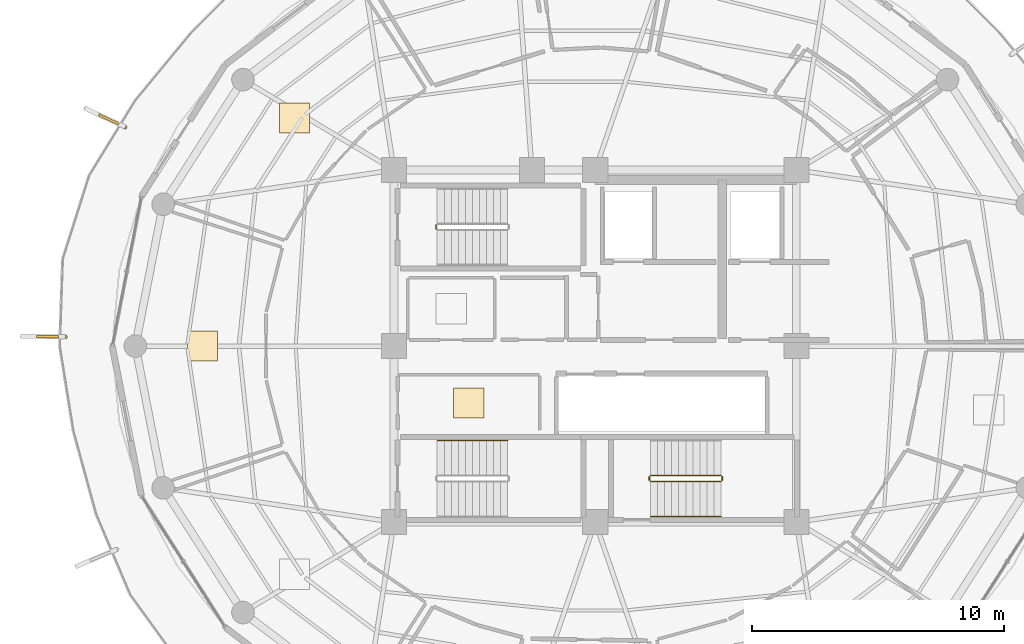
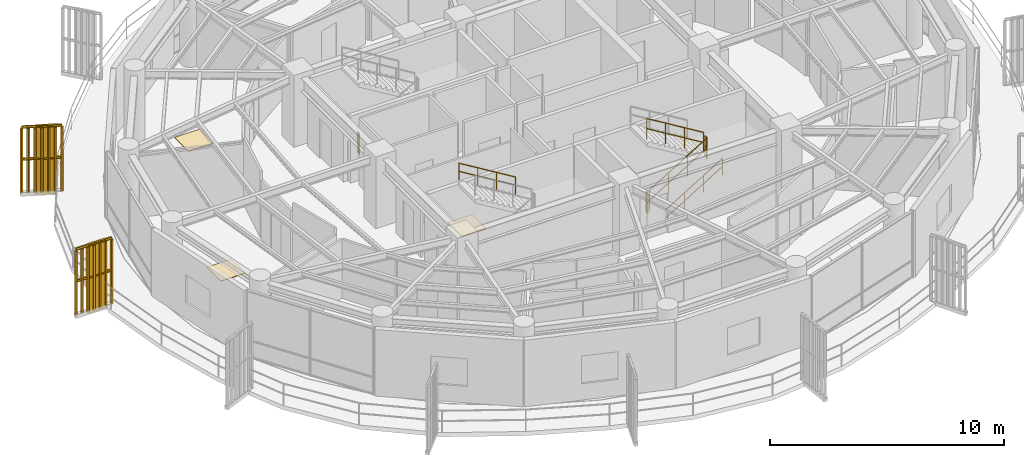
# One storey, part 22 of 24: 9 railings, 3 coverings, 2 shading devices.
"""IFC4 building model written with IfcOpenShell, lengths in metres."""

from ifc_helpers import new_model, si_unit, direction, frame, origin, origin_2d, place, context, subcontext, project, spatial, polyline, rectangle, outline, extrude, source, transform, mapped, material, layer, layer_set, type_object, element, save


model = new_model("IFC4")

# Units and contexts
model_context = context("Model", 3, precision=1e-05, world=origin(), true_north=direction((0.0, 1.0)))
body_context = subcontext(model_context, "Body", "Model", "MODEL_VIEW")
ifc_project = project(units=[si_unit("LENGTHUNIT", "METRE"), si_unit("AREAUNIT", "SQUARE_METRE"), si_unit("VOLUMEUNIT", "CUBIC_METRE"), si_unit("PLANEANGLEUNIT", "RADIAN"), si_unit("MASSUNIT", "GRAM", prefix="KILO")], contexts=[model_context])

# Site, building, storey
site_placement = place(None, origin())
site = spatial("IfcSite", under=ifc_project, at=site_placement, CompositionType="ELEMENT")
building_placement = place(site_placement, origin())
building = spatial("IfcBuilding", under=site, at=building_placement, Name="Kelanora Arch Commons", CompositionType="ELEMENT")
storey_placement = place(building_placement, frame((0.0, 0.0, 248.699951171875)))
storey = spatial("IfcBuildingStorey", under=building, at=storey_placement, Name="L63", CompositionType="ELEMENT", Elevation=248.699951171875)

# Railings
ifc_material_1 = material(Name="Anodised bronze vertical shading fin rib assembly")
railing_type_1 = type_object("IfcRailingType", Name="RAIL-FIN-BRZ", PredefinedType="BALUSTRADE", material=ifc_material_1)
railing_1_placement = place(storey_placement, frame((55.31591796875, 66.70654296875, -0.02001953125)))
element("IfcRailing", 1, at=railing_1_placement, inside=storey, type_object=railing_type_1, Name="Sweeping Bronze Vertical Fin Blade L63-08", PredefinedType="BALUSTRADE", context=body_context, shape_type="SweptSolid", body=[
    extrude(outline(polyline([(0.06982421875, 0.0), (0.034912109375, 0.060546875), (-0.034912109375, 0.060546875), (-0.06982421875, 0.0), (-0.034912109375, -0.060546875), (0.034912109375, -0.060546875), (0.06982421875, 0.0)])), frame((0.0, 0.0, 3.419921875), z_axis=(-0.906420945291, 0.422375508213, 0.0), x_axis=(-0.422375508213, -0.906420945291, 0.0)), (0.0, 0.0, 1.0), 1.72998046875),
    extrude(outline(polyline([(0.06982421875, 0.0), (0.034912109375, 0.060546875), (-0.034912109375, 0.060546875), (-0.06982421875, 0.0), (-0.034912109375, -0.060546875), (0.034912109375, -0.060546875), (0.06982421875, 0.0)])), frame((0.0, 0.0, 1.7451171875), z_axis=(-0.906420945291, 0.422375508213, 0.0), x_axis=(-0.422375508213, -0.906420945291, 0.0)), (0.0, 0.0, 1.0), 1.72998046875),
    extrude(outline(polyline([(0.080078125, 0.0), (0.0400390625, 0.0693359375), (-0.0400390625, 0.0693359375), (-0.080078125, 0.0), (-0.0400390625, -0.0693359375), (0.0400390625, -0.0693359375), (0.080078125, 0.0)])), origin(), (0.0, 0.0, 1.0), 3.35009765625),
    extrude(outline(polyline([(0.080078125, 0.0), (0.0400390625, 0.0693359375), (-0.0400390625, 0.0693359375), (-0.080078125, 0.0), (-0.0400390625, -0.0693359375), (0.0400390625, -0.0693359375), (0.080078125, 0.0)])), frame((-0.26123046875, 0.121826171875, 0.0)), (0.0, 0.0, 1.0), 3.35009765625),
    extrude(outline(polyline([(0.080078125, 0.0), (0.0400390625, 0.0693359375), (-0.0400390625, 0.0693359375), (-0.080078125, 0.0), (-0.0400390625, -0.0693359375), (0.0400390625, -0.0693359375), (0.080078125, 0.0)])), frame((-0.522705078125, 0.24365234375, 0.0)), (0.0, 0.0, 1.0), 3.35009765625),
    extrude(outline(polyline([(0.080078125, 0.0), (0.0400390625, 0.0693359375), (-0.0400390625, 0.0693359375), (-0.080078125, 0.0), (-0.0400390625, -0.0693359375), (0.0400390625, -0.0693359375), (0.080078125, 0.0)])), frame((-0.7841796875, 0.365234375, 0.0)), (0.0, 0.0, 1.0), 3.35009765625),
    extrude(outline(polyline([(0.080078125, 0.0), (0.0400390625, 0.0693359375), (-0.0400390625, 0.0693359375), (-0.080078125, 0.0), (-0.0400390625, -0.0693359375), (0.0400390625, -0.0693359375), (0.080078125, 0.0)])), frame((-1.04541015625, 0.487060546875, 0.0)), (0.0, 0.0, 1.0), 3.35009765625),
    extrude(outline(polyline([(0.080078125, 0.0), (0.0400390625, 0.0693359375), (-0.0400390625, 0.0693359375), (-0.080078125, 0.0), (-0.0400390625, -0.0693359375), (0.0400390625, -0.0693359375), (0.080078125, 0.0)])), frame((-1.306640625, 0.60888671875, 0.0)), (0.0, 0.0, 1.0), 3.35009765625),
    extrude(outline(polyline([(0.080078125, 0.0), (0.0400390625, 0.0693359375), (-0.0400390625, 0.0693359375), (-0.080078125, 0.0), (-0.0400390625, -0.0693359375), (0.0400390625, -0.0693359375), (0.080078125, 0.0)])), frame((-1.568115234375, 0.730712890625, 0.0)), (0.0, 0.0, 1.0), 3.35009765625),
])
railing_2_placement = place(storey_placement, frame((52.9423828125, 58.362060546875, -0.02001953125)))
element("IfcRailing", 2, at=railing_2_placement, inside=storey, type_object=railing_type_1, Name="Sweeping Bronze Vertical Fin Blade L63-09", PredefinedType="BALUSTRADE", context=body_context, shape_type="SweptSolid", body=[
    extrude(outline(polyline([(0.06982421875, 0.0), (0.034912109375, 0.060546875), (-0.034912109375, 0.060546875), (-0.06982421875, 0.0), (-0.034912109375, -0.060546875), (0.034912109375, -0.060546875), (0.06982421875, 0.0)])), frame((0.0, 0.0, 3.419921875), z_axis=(-0.999851735913, 0.017219355136, 0.0), x_axis=(-0.017219355136, -0.999851735913, 0.0)), (0.0, 0.0, 1.0), 1.729736328125),
    extrude(outline(polyline([(0.06982421875, 0.0), (0.034912109375, 0.060546875), (-0.034912109375, 0.060546875), (-0.06982421875, 0.0), (-0.034912109375, -0.060546875), (0.034912109375, -0.060546875), (0.06982421875, 0.0)])), frame((0.0, 0.0, 1.7451171875), z_axis=(-0.999851735913, 0.017219355136, 0.0), x_axis=(-0.017219355136, -0.999851735913, 0.0)), (0.0, 0.0, 1.0), 1.729736328125),
    extrude(outline(polyline([(0.080078125, 0.0), (0.0400390625, 0.0693359375), (-0.0400390625, 0.0693359375), (-0.080078125, 0.0), (-0.0400390625, -0.0693359375), (0.0400390625, -0.0693359375), (0.080078125, 0.0)])), origin(), (0.0, 0.0, 1.0), 3.35009765625),
    extrude(outline(polyline([(0.080078125, 0.0), (0.0400390625, 0.0693359375), (-0.0400390625, 0.0693359375), (-0.080078125, 0.0), (-0.0400390625, -0.0693359375), (0.0400390625, -0.0693359375), (0.080078125, 0.0)])), frame((-0.288330078125, 0.0048828125, 0.0)), (0.0, 0.0, 1.0), 3.35009765625),
    extrude(outline(polyline([(0.080078125, 0.0), (0.0400390625, 0.0693359375), (-0.0400390625, 0.0693359375), (-0.080078125, 0.0), (-0.0400390625, -0.0693359375), (0.0400390625, -0.0693359375), (0.080078125, 0.0)])), frame((-0.576416015625, 0.010009765625, 0.0)), (0.0, 0.0, 1.0), 3.35009765625),
    extrude(outline(polyline([(0.080078125, 0.0), (0.0400390625, 0.0693359375), (-0.0400390625, 0.0693359375), (-0.080078125, 0.0), (-0.0400390625, -0.0693359375), (0.0400390625, -0.0693359375), (0.080078125, 0.0)])), frame((-0.86474609375, 0.014892578125, 0.0)), (0.0, 0.0, 1.0), 3.35009765625),
    extrude(outline(polyline([(0.080078125, 0.0), (0.0400390625, 0.0693359375), (-0.0400390625, 0.0693359375), (-0.080078125, 0.0), (-0.0400390625, -0.0693359375), (0.0400390625, -0.0693359375), (0.080078125, 0.0)])), frame((-1.153076171875, 0.019775390625, 0.0)), (0.0, 0.0, 1.0), 3.35009765625),
    extrude(outline(polyline([(0.080078125, 0.0), (0.0400390625, 0.0693359375), (-0.0400390625, 0.0693359375), (-0.080078125, 0.0), (-0.0400390625, -0.0693359375), (0.0400390625, -0.0693359375), (0.080078125, 0.0)])), frame((-1.441162109375, 0.02490234375, 0.0)), (0.0, 0.0, 1.0), 3.35009765625),
    extrude(outline(polyline([(0.080078125, 0.0), (0.0400390625, 0.0693359375), (-0.0400390625, 0.0693359375), (-0.080078125, 0.0), (-0.0400390625, -0.0693359375), (0.0400390625, -0.0693359375), (0.080078125, 0.0)])), frame((-1.7294921875, 0.02978515625, 0.0)), (0.0, 0.0, 1.0), 3.35009765625),
])
ifc_material_2 = material(Name="Painted steel stair well guard", Category="steel")
railing_type_2 = type_object("IfcRailingType", Name="RAIL-STAIR-GRD", PredefinedType="GUARDRAIL", material=ifc_material_2)
railing_3_placement = place(storey_placement, frame((67.669921875, 62.659912109375, 0.0)))
element("IfcRailing", 3, at=railing_3_placement, inside=storey, type_object=railing_type_2, Name="L63 ST-T1 stair guard 4", PredefinedType="GUARDRAIL", context=body_context, shape_type="SweptSolid", body=[
    extrude(outline(polyline([(0.02392578125, 0.0), (0.011962890625, 0.020751953125), (-0.011962890625, 0.020751953125), (-0.02392578125, 0.0), (-0.011962890625, -0.020751953125), (0.011962890625, -0.020751953125), (0.02392578125, 0.0)])), frame((0.0, 0.0, 1.076171875), z_axis=(0.0, 1.0, 0.0), x_axis=(-1.0, 0.0, 0.0)), (0.0, 0.0, 1.0), 0.150146484375),
    extrude(outline(polyline([(0.02392578125, 0.0), (0.011962890625, 0.020751953125), (-0.011962890625, 0.020751953125), (-0.02392578125, 0.0), (-0.011962890625, -0.020751953125), (0.011962890625, -0.020751953125), (0.02392578125, 0.0)])), frame((0.0, 0.0, 0.550048828125), z_axis=(0.0, 1.0, 0.0), x_axis=(-1.0, 0.0, 0.0)), (0.0, 0.0, 1.0), 0.150146484375),
    extrude(outline(polyline([(0.02099609375, 0.0), (0.010498046875, 0.01806640625), (-0.010498046875, 0.01806640625), (-0.02099609375, 0.0), (-0.010498046875, -0.01806640625), (0.010498046875, -0.01806640625), (0.02099609375, 0.0)])), origin(), (0.0, 0.0, 1.0), 1.052001953125),
    extrude(outline(polyline([(0.02099609375, 0.0), (0.010498046875, 0.01806640625), (-0.010498046875, 0.01806640625), (-0.02099609375, 0.0), (-0.010498046875, -0.01806640625), (0.010498046875, -0.01806640625), (0.02099609375, 0.0)])), frame((0.0, 0.150146484375, 0.0)), (0.0, 0.0, 1.0), 1.052001953125),
])
railing_4_placement = place(storey_placement, frame((76.199951171875, 52.610107421875, 0.17041015625)))
element("IfcRailing", 4, at=railing_4_placement, inside=storey, type_object=railing_type_2, Name="L63 ST-T2 stair guard 1", PredefinedType="GUARDRAIL", context=body_context, shape_type="SweptSolid", body=[
    extrude(outline(polyline([(0.02392578125, 0.0), (0.011962890625, 0.020751953125), (-0.011962890625, 0.020751953125), (-0.02392578125, 0.0), (-0.011962890625, -0.020751953125), (0.011962890625, -0.020751953125), (0.02392578125, 0.0)])), frame((0.0, 0.0, 1.076171875), z_axis=(0.854169791009, 0.0, 0.51999420009), x_axis=(0.0, 1.0, 0.0)), (0.0, 0.0, 1.0), 3.278076171875),
    extrude(outline(polyline([(0.02392578125, 0.0), (0.011962890625, 0.020751953125), (-0.011962890625, 0.020751953125), (-0.02392578125, 0.0), (-0.011962890625, -0.020751953125), (0.011962890625, -0.020751953125), (0.02392578125, 0.0)])), frame((0.0, 0.0, 0.550048828125), z_axis=(0.854169791009, 0.0, 0.51999420009), x_axis=(0.0, 1.0, 0.0)), (0.0, 0.0, 1.0), 3.278076171875),
    extrude(outline(polyline([(0.02099609375, 0.0), (0.010498046875, 0.01806640625), (-0.010498046875, 0.01806640625), (-0.02099609375, 0.0), (-0.010498046875, -0.01806640625), (0.010498046875, -0.01806640625), (0.02099609375, 0.0)])), origin(), (0.0, 0.0, 1.0), 1.052001953125),
    extrude(outline(polyline([(0.02099609375, 0.0), (0.010498046875, 0.01806640625), (-0.010498046875, 0.01806640625), (-0.02099609375, 0.0), (-0.010498046875, -0.01806640625), (0.010498046875, -0.01806640625), (0.02099609375, 0.0)])), frame((0.933349609375, 0.0, 0.568115234375)), (0.0, 0.0, 1.0), 1.052001953125),
    extrude(outline(polyline([(0.02099609375, 0.0), (0.010498046875, 0.01806640625), (-0.010498046875, 0.01806640625), (-0.02099609375, 0.0), (-0.010498046875, -0.01806640625), (0.010498046875, -0.01806640625), (0.02099609375, 0.0)])), frame((1.86669921875, 0.0, 1.136474609375)), (0.0, 0.0, 1.0), 1.052001953125),
    extrude(outline(polyline([(0.02099609375, 0.0), (0.010498046875, 0.01806640625), (-0.010498046875, 0.01806640625), (-0.02099609375, 0.0), (-0.010498046875, -0.01806640625), (0.010498046875, -0.01806640625), (0.02099609375, 0.0)])), frame((2.800048828125, 0.0, 1.70458984375)), (0.0, 0.0, 1.0), 1.052001953125),
])
railing_5_placement = place(storey_placement, frame((79.050048828125, 52.659912109375, 1.875)))
element("IfcRailing", 5, at=railing_5_placement, inside=storey, type_object=railing_type_2, Name="L63 ST-T2 stair guard 2", PredefinedType="GUARDRAIL", context=body_context, shape_type="SweptSolid", body=[
    extrude(outline(polyline([(0.02392578125, 0.0), (0.011962890625, 0.020751953125), (-0.011962890625, 0.020751953125), (-0.02392578125, 0.0), (-0.011962890625, -0.020751953125), (0.011962890625, -0.020751953125), (0.02392578125, 0.0)])), frame((0.0, 0.0, 1.076171875), z_axis=(0.0, 1.0, 0.0), x_axis=(-1.0, 0.0, 0.0)), (0.0, 0.0, 1.0), 0.150146484375),
    extrude(outline(polyline([(0.02392578125, 0.0), (0.011962890625, 0.020751953125), (-0.011962890625, 0.020751953125), (-0.02392578125, 0.0), (-0.011962890625, -0.020751953125), (0.011962890625, -0.020751953125), (0.02392578125, 0.0)])), frame((0.0, 0.0, 0.550048828125), z_axis=(0.0, 1.0, 0.0), x_axis=(-1.0, 0.0, 0.0)), (0.0, 0.0, 1.0), 0.150146484375),
    extrude(outline(polyline([(0.02099609375, 0.0), (0.010498046875, 0.01806640625), (-0.010498046875, 0.01806640625), (-0.02099609375, 0.0), (-0.010498046875, -0.01806640625), (0.010498046875, -0.01806640625), (0.02099609375, 0.0)])), origin(), (0.0, 0.0, 1.0), 1.052001953125),
    extrude(outline(polyline([(0.02099609375, 0.0), (0.010498046875, 0.01806640625), (-0.010498046875, 0.01806640625), (-0.02099609375, 0.0), (-0.010498046875, -0.01806640625), (0.010498046875, -0.01806640625), (0.02099609375, 0.0)])), frame((0.0, 0.150146484375, 0.0)), (0.0, 0.0, 1.0), 1.052001953125),
])
railing_6_placement = place(storey_placement, frame((79.0, 52.860107421875, 2.04541015625)))
element("IfcRailing", 6, at=railing_6_placement, inside=storey, type_object=railing_type_2, Name="L63 ST-T2 stair guard 3", PredefinedType="GUARDRAIL", context=body_context, shape_type="SweptSolid", body=[
    extrude(outline(polyline([(0.02392578125, 0.0), (0.011962890625, 0.020751953125), (-0.011962890625, 0.020751953125), (-0.02392578125, 0.0), (-0.011962890625, -0.020751953125), (0.011962890625, -0.020751953125), (0.02392578125, 0.0)])), frame((0.0, 0.0, 1.076171875), z_axis=(-0.854169791009, 0.0, 0.51999420009), x_axis=(0.0, -1.0, 0.0)), (0.0, 0.0, 1.0), 3.278076171875),
    extrude(outline(polyline([(0.02392578125, 0.0), (0.011962890625, 0.020751953125), (-0.011962890625, 0.020751953125), (-0.02392578125, 0.0), (-0.011962890625, -0.020751953125), (0.011962890625, -0.020751953125), (0.02392578125, 0.0)])), frame((0.0, 0.0, 0.550048828125), z_axis=(-0.854169791009, 0.0, 0.51999420009), x_axis=(0.0, -1.0, 0.0)), (0.0, 0.0, 1.0), 3.278076171875),
    extrude(outline(polyline([(0.02099609375, 0.0), (0.010498046875, 0.01806640625), (-0.010498046875, 0.01806640625), (-0.02099609375, 0.0), (-0.010498046875, -0.01806640625), (0.010498046875, -0.01806640625), (0.02099609375, 0.0)])), origin(), (0.0, 0.0, 1.0), 1.052001953125),
    extrude(outline(polyline([(0.02099609375, 0.0), (0.010498046875, 0.01806640625), (-0.010498046875, 0.01806640625), (-0.02099609375, 0.0), (-0.010498046875, -0.01806640625), (0.010498046875, -0.01806640625), (0.02099609375, 0.0)])), frame((-0.933349609375, 0.0, 0.568115234375)), (0.0, 0.0, 1.0), 1.052001953125),
    extrude(outline(polyline([(0.02099609375, 0.0), (0.010498046875, 0.01806640625), (-0.010498046875, 0.01806640625), (-0.02099609375, 0.0), (-0.010498046875, -0.01806640625), (0.010498046875, -0.01806640625), (0.02099609375, 0.0)])), frame((-1.86669921875, 0.0, 1.136474609375)), (0.0, 0.0, 1.0), 1.052001953125),
    extrude(outline(polyline([(0.02099609375, 0.0), (0.010498046875, 0.01806640625), (-0.010498046875, 0.01806640625), (-0.02099609375, 0.0), (-0.010498046875, -0.01806640625), (0.010498046875, -0.01806640625), (0.02099609375, 0.0)])), frame((-2.800048828125, 0.0, 1.70458984375)), (0.0, 0.0, 1.0), 1.052001953125),
])
railing_7_placement = place(storey_placement, frame((76.14990234375, 52.659912109375, 0.0)))
element("IfcRailing", 7, at=railing_7_placement, inside=storey, type_object=railing_type_2, Name="L63 ST-T2 stair guard 4", PredefinedType="GUARDRAIL", context=body_context, shape_type="SweptSolid", body=[
    extrude(outline(polyline([(0.02392578125, 0.0), (0.011962890625, 0.020751953125), (-0.011962890625, 0.020751953125), (-0.02392578125, 0.0), (-0.011962890625, -0.020751953125), (0.011962890625, -0.020751953125), (0.02392578125, 0.0)])), frame((0.0, 0.0, 1.076171875), z_axis=(0.0, 1.0, 0.0), x_axis=(-1.0, 0.0, 0.0)), (0.0, 0.0, 1.0), 0.150146484375),
    extrude(outline(polyline([(0.02392578125, 0.0), (0.011962890625, 0.020751953125), (-0.011962890625, 0.020751953125), (-0.02392578125, 0.0), (-0.011962890625, -0.020751953125), (0.011962890625, -0.020751953125), (0.02392578125, 0.0)])), frame((0.0, 0.0, 0.550048828125), z_axis=(0.0, 1.0, 0.0), x_axis=(-1.0, 0.0, 0.0)), (0.0, 0.0, 1.0), 0.150146484375),
    extrude(outline(polyline([(0.02099609375, 0.0), (0.010498046875, 0.01806640625), (-0.010498046875, 0.01806640625), (-0.02099609375, 0.0), (-0.010498046875, -0.01806640625), (0.010498046875, -0.01806640625), (0.02099609375, 0.0)])), origin(), (0.0, 0.0, 1.0), 1.052001953125),
    extrude(outline(polyline([(0.02099609375, 0.0), (0.010498046875, 0.01806640625), (-0.010498046875, 0.01806640625), (-0.02099609375, 0.0), (-0.010498046875, -0.01806640625), (0.010498046875, -0.01806640625), (0.02099609375, 0.0)])), frame((0.0, 0.150146484375, 0.0)), (0.0, 0.0, 1.0), 1.052001953125),
])
ifc_material_3 = material(Name="Brushed stainless steel stair handrail", Category="steel")
railing_type_3 = type_object("IfcRailingType", Name="RAIL-STAIR-HND", PredefinedType="HANDRAIL", material=ifc_material_3)
railing_8_placement = place(storey_placement, frame((76.199951171875, 51.22998046875, 0.17041015625)))
element("IfcRailing", 8, at=railing_8_placement, inside=storey, type_object=railing_type_3, Name="L63 ST-T2 stair handrail 1", PredefinedType="HANDRAIL", context=body_context, shape_type="SweptSolid", body=[
    extrude(outline(polyline([(0.02392578125, 0.0), (0.011962890625, 0.020751953125), (-0.011962890625, 0.020751953125), (-0.02392578125, 0.0), (-0.011962890625, -0.020751953125), (0.011962890625, -0.020751953125), (0.02392578125, 0.0)])), frame((0.0, 0.0, 0.8759765625), z_axis=(0.854169791009, 0.0, 0.51999420009), x_axis=(0.0, 1.0, 0.0)), (0.0, 0.0, 1.0), 3.278076171875),
    extrude(outline(polyline([(0.02392578125, 0.0), (0.011962890625, 0.020751953125), (-0.011962890625, 0.020751953125), (-0.02392578125, 0.0), (-0.011962890625, -0.020751953125), (0.011962890625, -0.020751953125), (0.02392578125, 0.0)])), frame((0.0, 0.0, 0.449951171875), z_axis=(0.854169791009, 0.0, 0.51999420009), x_axis=(0.0, 1.0, 0.0)), (0.0, 0.0, 1.0), 3.278076171875),
    extrude(outline(polyline([(0.02099609375, 0.0), (0.010498046875, 0.01806640625), (-0.010498046875, 0.01806640625), (-0.02099609375, 0.0), (-0.010498046875, -0.01806640625), (0.010498046875, -0.01806640625), (0.02099609375, 0.0)])), origin(), (0.0, 0.0, 1.0), 0.851806640625),
    extrude(outline(polyline([(0.02099609375, 0.0), (0.010498046875, 0.01806640625), (-0.010498046875, 0.01806640625), (-0.02099609375, 0.0), (-0.010498046875, -0.01806640625), (0.010498046875, -0.01806640625), (0.02099609375, 0.0)])), frame((0.933349609375, 0.0, 0.568115234375)), (0.0, 0.0, 1.0), 0.851806640625),
    extrude(outline(polyline([(0.02099609375, 0.0), (0.010498046875, 0.01806640625), (-0.010498046875, 0.01806640625), (-0.02099609375, 0.0), (-0.010498046875, -0.01806640625), (0.010498046875, -0.01806640625), (0.02099609375, 0.0)])), frame((1.86669921875, 0.0, 1.136474609375)), (0.0, 0.0, 1.0), 0.851806640625),
    extrude(outline(polyline([(0.02099609375, 0.0), (0.010498046875, 0.01806640625), (-0.010498046875, 0.01806640625), (-0.02099609375, 0.0), (-0.010498046875, -0.01806640625), (0.010498046875, -0.01806640625), (0.02099609375, 0.0)])), frame((2.800048828125, 0.0, 1.70458984375)), (0.0, 0.0, 1.0), 0.851806640625),
])
railing_9_placement = place(storey_placement, frame((70.52001953125, 54.239990234375, 2.04541015625)))
element("IfcRailing", 9, at=railing_9_placement, inside=storey, type_object=railing_type_3, Name="L63 ST-T3 stair handrail 2", PredefinedType="HANDRAIL", context=body_context, shape_type="SweptSolid", body=[
    extrude(outline(polyline([(0.02392578125, 0.0), (0.011962890625, 0.020751953125), (-0.011962890625, 0.020751953125), (-0.02392578125, 0.0), (-0.011962890625, -0.020751953125), (0.011962890625, -0.020751953125), (0.02392578125, 0.0)])), frame((0.0, 0.0, 0.8759765625), z_axis=(-0.854169791009, 0.0, 0.51999420009), x_axis=(0.0, -1.0, 0.0)), (0.0, 0.0, 1.0), 3.278076171875),
    extrude(outline(polyline([(0.02392578125, 0.0), (0.011962890625, 0.020751953125), (-0.011962890625, 0.020751953125), (-0.02392578125, 0.0), (-0.011962890625, -0.020751953125), (0.011962890625, -0.020751953125), (0.02392578125, 0.0)])), frame((0.0, 0.0, 0.449951171875), z_axis=(-0.854169791009, 0.0, 0.51999420009), x_axis=(0.0, -1.0, 0.0)), (0.0, 0.0, 1.0), 3.278076171875),
    extrude(outline(polyline([(0.02099609375, 0.0), (0.010498046875, 0.01806640625), (-0.010498046875, 0.01806640625), (-0.02099609375, 0.0), (-0.010498046875, -0.01806640625), (0.010498046875, -0.01806640625), (0.02099609375, 0.0)])), origin(), (0.0, 0.0, 1.0), 0.851806640625),
    extrude(outline(polyline([(0.02099609375, 0.0), (0.010498046875, 0.01806640625), (-0.010498046875, 0.01806640625), (-0.02099609375, 0.0), (-0.010498046875, -0.01806640625), (0.010498046875, -0.01806640625), (0.02099609375, 0.0)])), frame((-0.933349609375, 0.0, 0.568115234375)), (0.0, 0.0, 1.0), 0.851806640625),
    extrude(outline(polyline([(0.02099609375, 0.0), (0.010498046875, 0.01806640625), (-0.010498046875, 0.01806640625), (-0.02099609375, 0.0), (-0.010498046875, -0.01806640625), (0.010498046875, -0.01806640625), (0.02099609375, 0.0)])), frame((-1.86669921875, 0.0, 1.136474609375)), (0.0, 0.0, 1.0), 0.851806640625),
    extrude(outline(polyline([(0.02099609375, 0.0), (0.010498046875, 0.01806640625), (-0.010498046875, 0.01806640625), (-0.02099609375, 0.0), (-0.010498046875, -0.01806640625), (0.010498046875, -0.01806640625), (0.02099609375, 0.0)])), frame((-2.800048828125, 0.0, 1.70458984375)), (0.0, 0.0, 1.0), 0.851806640625),
])

# Shading devices
ifc_material_4 = material(Name="Terracotta ceramic-clad extruded aluminium fin", Category="masonry")
shading_device_type = type_object("IfcShadingDeviceType", Name="SHD-FIN-FLARE", PredefinedType="USERDEFINED", material=ifc_material_4)
shared_shape_1 = source(origin(), body_context, "Body", "SweptSolid", [
    extrude(rectangle(XDim=0.8798828125, YDim=0.090087890625, at=origin_2d()), origin(), (0.0, 0.0, 1.0), 3.610107421875),
])
for number, where, z_axis, x_axis, name in (
    (10, (54.663330078125, 67.010498046875, -0.14013671875), (0.0, 0.0, 1.0), (-0.906381534034, 0.422460074755, 0.0), "Sweeping Terracotta Fin L63-08"),
    (11, (52.22265625, 58.37451171875, -0.14013671875), (0.0, 0.0, 1.0), (-0.999850725947, 0.017277899829, 0.0), "Sweeping Terracotta Fin L63-09"),
):
    element("IfcShadingDevice", number, at=place(storey_placement, frame(where, z_axis=z_axis, x_axis=x_axis)), inside=storey, type_object=shading_device_type, Name=name, ObjectType="FIN", PredefinedType="USERDEFINED", context=body_context, shape_type="MappedRepresentation", body=[
        mapped(shared_shape_1, transform((0.0, 0.0, 0.0), scale=1.0)),
    ])

# Coverings
ifc_material_5 = material(Name="Polished local granite terrazzo flooring", Category="masonry")
ifc_layer = layer(ifc_material_5, 0.030029296875)
ifc_layer_set = layer_set([ifc_layer], Name="Polished local granite terrazzo flooring")
covering_type = type_object("IfcCoveringType", Name="COV-FLR-TER", PredefinedType="FLOORING", material=ifc_layer_set)
shared_shape_2 = source(origin(), body_context, "Body", "SweptSolid", [
    extrude(rectangle(XDim=1.199951171875, YDim=1.199951171875, at=origin_2d()), origin(), (0.0, 0.0, 1.0), 0.030029296875),
])
for number, where, z_axis, x_axis, name in (
    (12, (68.97509765625, 55.735107421875, 0.0), (0.0, 0.0, 1.0), (1.0, 0.0, 0.0), "Reclaimed Core High-Zone Pantry and Copy Room L63 Terrazzo Finish"),
    (13, (62.040771484375, 67.069580078125, 0.0), (0.0, 0.0, 1.0), (1.0, 0.0, 0.0), "Communal Dining and Social Hall L63-04 Terrazzo Finish"),
    (14, (58.388427734375, 58.0, 0.0), (0.0, 0.0, 1.0), (1.0, 0.0, 0.0), "Social Sky Lounge L63-05 Terrazzo Finish"),
):
    element("IfcCovering", number, at=place(storey_placement, frame(where, z_axis=z_axis, x_axis=x_axis)), inside=storey, type_object=covering_type, Name=name, PredefinedType="FLOORING", context=body_context, shape_type="MappedRepresentation", body=[
        mapped(shared_shape_2, transform((0.0, 0.0, 0.0), scale=1.0)),
    ])

save(model, "model.ifc")
